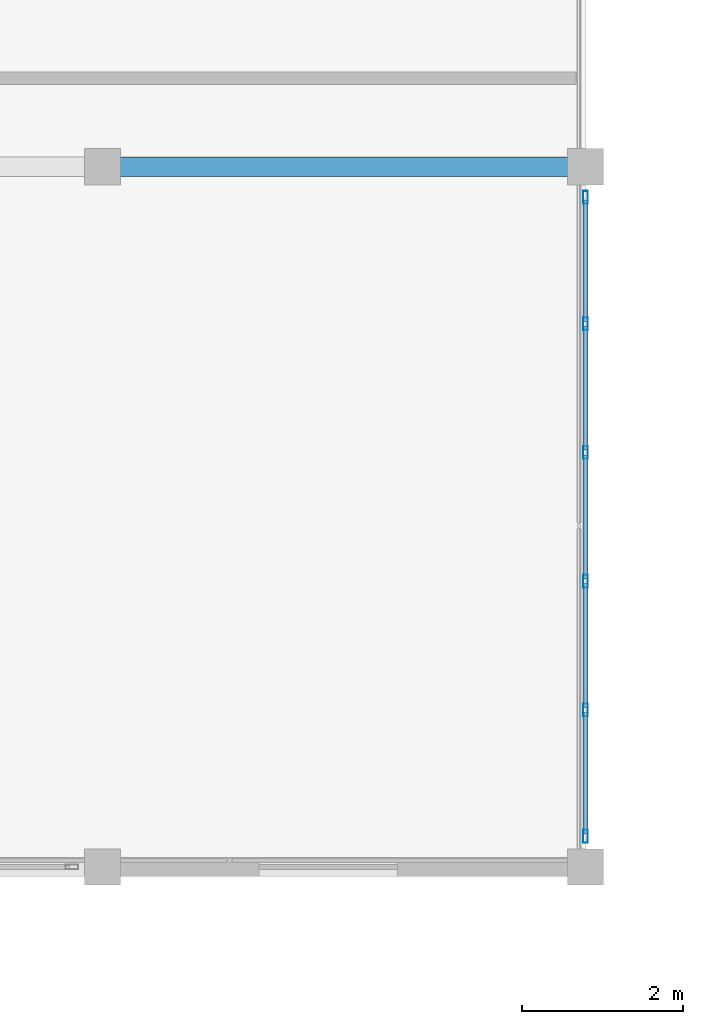
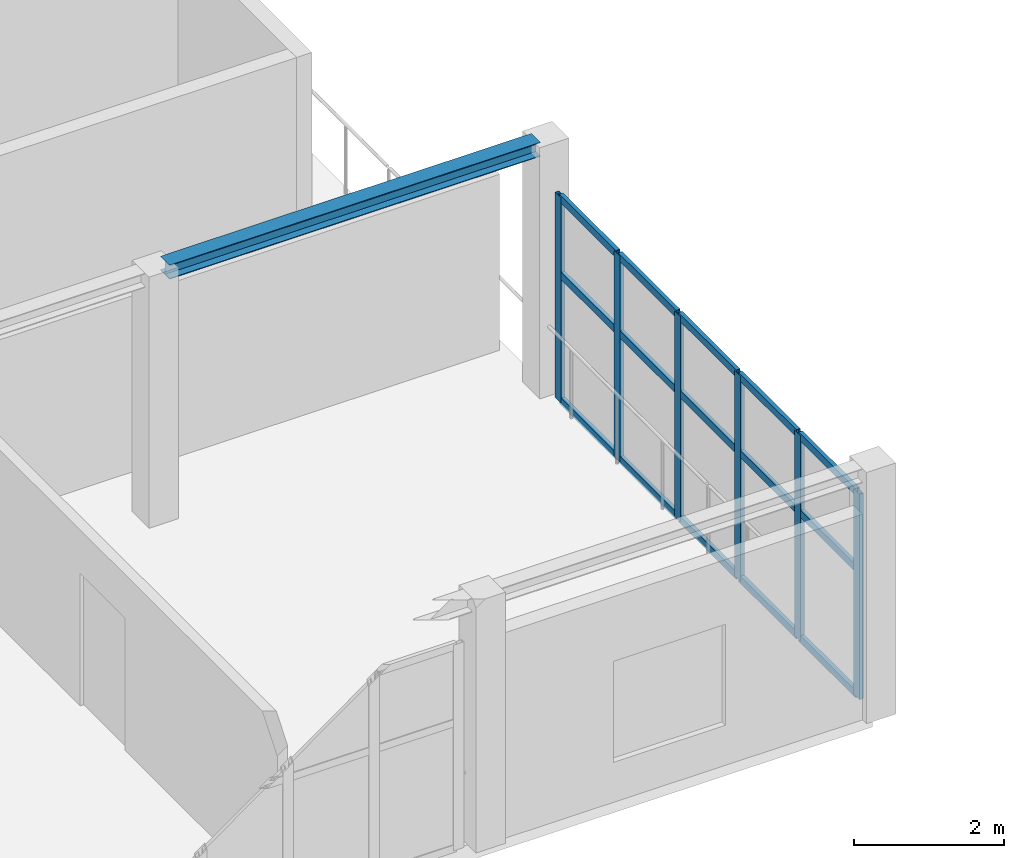
# One storey, part 49 of 128: 21 members, 1 beam, 1 element without a shape of its own.
"""IFC4 building model written with IfcOpenShell, lengths in metres."""

from ifc_helpers import new_model, si_unit, direction, frame, origin, origin_2d, place, context, subcontext, project, spatial, hollow_rectangle, i_section, extrude, material, material_profile, profile_set, type_object, element, aggregate, save


model = new_model("IFC4")

# Units and contexts
model_context = context("Model", 3, precision=1e-05, world=origin(), true_north=direction((0.0, 1.0)))
body_context = subcontext(model_context, "Body", "Model", "MODEL_VIEW")
ifc_project = project(units=[si_unit("LENGTHUNIT", "METRE"), si_unit("AREAUNIT", "SQUARE_METRE"), si_unit("VOLUMEUNIT", "CUBIC_METRE"), si_unit("PLANEANGLEUNIT", "RADIAN"), si_unit("MASSUNIT", "GRAM", prefix="KILO")], contexts=[model_context])

# Site, building, storey
site_placement = place(None, origin())
site = spatial("IfcSite", under=ifc_project, at=site_placement, CompositionType="ELEMENT")
building_placement = place(site_placement, origin())
building = spatial("IfcBuilding", under=site, at=building_placement, Name="Tanwirah Colonnade Gardens", CompositionType="ELEMENT")
storey_placement = place(building_placement, frame((0.0, 0.0, 4.760009765625)))
storey = spatial("IfcBuildingStorey", under=building, at=storey_placement, Name="L01", CompositionType="ELEMENT", Elevation=4.760009765625)

# Curtain wall, members
ifc_material_1 = material(Name="Bronze-anodised aluminium and solar-control low-E glass", Category="aluminium")
curtain_wall_type = type_object("IfcCurtainWallType", Name="CW-NUR", PredefinedType="NOTDEFINED", material=ifc_material_1)
curtain_wall_placement = place(storey_placement, origin())
curtain_wall = element("IfcCurtainWall", 1, at=curtain_wall_placement, inside=storey, type_object=curtain_wall_type, Name="Curtain Wall CW-NUR-L01-E-1", PredefinedType="NOTDEFINED")
ifc_material_2 = material(Name="Bronze-anodised aluminium", Category="aluminium")
ifc_material_profile_1 = material_profile(ifc_material_2, hollow_rectangle(XDim=0.06005859375, YDim=0.159912109375, WallThickness=0.00390625, at=origin_2d()), Name="CW-MUL 60x160x4")
ifc_profile_set_1 = profile_set([ifc_material_profile_1], Name="Bronze-anodised aluminium")
member_type_1 = type_object("IfcMemberType", Name="CWM-60x160", PredefinedType="MULLION", material=ifc_profile_set_1)
member_1_placement = place(storey_placement, frame((108.0, 92.3798828125, 0.0), z_axis=(0.0, 0.0, 1.0), x_axis=(-1.0, 0.0, 0.0)))
member_1 = element("IfcMember", 2, at=member_1_placement, type_object=member_type_1, Name="CW-NUR mullion 1", PredefinedType="MULLION", context=body_context, shape_type="SweptSolid", body=[
    extrude(hollow_rectangle(XDim=0.06005859375, YDim=0.159912109375, WallThickness=0.00390625, at=origin_2d()), origin(), (0.0, 0.0, 1.0), 3.340087890625),
])
member_2_placement = place(storey_placement, frame((108.0, 93.949951171875, 0.0), z_axis=(0.0, 0.0, 1.0), x_axis=(-1.0, 0.0, 0.0)))
member_2 = element("IfcMember", 3, at=member_2_placement, type_object=member_type_1, Name="CW-NUR mullion 2", PredefinedType="MULLION", context=body_context, shape_type="SweptSolid", body=[
    extrude(hollow_rectangle(XDim=0.06005859375, YDim=0.159912109375, WallThickness=0.00390625, at=origin_2d()), origin(), (0.0, 0.0, 1.0), 3.340087890625),
])
member_3_placement = place(storey_placement, frame((108.0, 95.550048828125, 0.0), z_axis=(0.0, 0.0, 1.0), x_axis=(-1.0, 0.0, 0.0)))
member_3 = element("IfcMember", 4, at=member_3_placement, type_object=member_type_1, Name="CW-NUR mullion 3", PredefinedType="MULLION", context=body_context, shape_type="SweptSolid", body=[
    extrude(hollow_rectangle(XDim=0.06005859375, YDim=0.159912109375, WallThickness=0.00390625, at=origin_2d()), origin(), (0.0, 0.0, 1.0), 3.340087890625),
])
member_4_placement = place(storey_placement, frame((108.0, 97.14990234375, 0.0), z_axis=(0.0, 0.0, 1.0), x_axis=(-1.0, 0.0, 0.0)))
member_4 = element("IfcMember", 5, at=member_4_placement, type_object=member_type_1, Name="CW-NUR mullion 4", PredefinedType="MULLION", context=body_context, shape_type="SweptSolid", body=[
    extrude(hollow_rectangle(XDim=0.06005859375, YDim=0.159912109375, WallThickness=0.00390625, at=origin_2d()), origin(), (0.0, 0.0, 1.0), 3.340087890625),
])
member_5_placement = place(storey_placement, frame((108.0, 98.75, 0.0), z_axis=(0.0, 0.0, 1.0), x_axis=(-1.0, 0.0, 0.0)))
member_5 = element("IfcMember", 6, at=member_5_placement, type_object=member_type_1, Name="CW-NUR mullion 5", PredefinedType="MULLION", context=body_context, shape_type="SweptSolid", body=[
    extrude(hollow_rectangle(XDim=0.06005859375, YDim=0.159912109375, WallThickness=0.00390625, at=origin_2d()), origin(), (0.0, 0.0, 1.0), 3.340087890625),
])
member_6_placement = place(storey_placement, frame((108.0, 100.320068359375, 0.0), z_axis=(0.0, 0.0, 1.0), x_axis=(-1.0, 0.0, 0.0)))
member_6 = element("IfcMember", 7, at=member_6_placement, type_object=member_type_1, Name="CW-NUR mullion 6", PredefinedType="MULLION", context=body_context, shape_type="SweptSolid", body=[
    extrude(hollow_rectangle(XDim=0.06005859375, YDim=0.159912109375, WallThickness=0.00390625, at=origin_2d()), origin(), (0.0, 0.0, 1.0), 3.340087890625),
])
ifc_material_profile_2 = material_profile(ifc_material_2, hollow_rectangle(XDim=0.06005859375, YDim=0.1201171875, WallThickness=0.00390625, at=origin_2d()), Name="CW-TRN 60x120x4")
ifc_profile_set_2 = profile_set([ifc_material_profile_2], Name="Bronze-anodised aluminium")
member_type_2 = type_object("IfcMemberType", Name="CWT-60x120", PredefinedType="USERDEFINED", material=ifc_profile_set_2)
member_7_placement = place(storey_placement, frame((108.0, 92.409912109375, 0.030029296875), z_axis=(0.0, 1.0, 0.0), x_axis=(-1.0, 0.0, 0.0)))
member_7 = element("IfcMember", 8, at=member_7_placement, type_object=member_type_2, Name="CW-NUR transom 1.1", ObjectType="TRANSOM", PredefinedType="USERDEFINED", context=body_context, shape_type="SweptSolid", body=[
    extrude(hollow_rectangle(XDim=0.06005859375, YDim=0.1201171875, WallThickness=0.00390625, at=origin_2d()), origin(), (0.0, 0.0, 1.0), 1.510009765625),
])
member_8_placement = place(storey_placement, frame((108.0, 92.409912109375, 2.07080078125), z_axis=(0.0, 1.0, 0.0), x_axis=(-1.0, 0.0, 0.0)))
member_8 = element("IfcMember", 9, at=member_8_placement, type_object=member_type_2, Name="CW-NUR transom 1.2", ObjectType="TRANSOM", PredefinedType="USERDEFINED", context=body_context, shape_type="SweptSolid", body=[
    extrude(hollow_rectangle(XDim=0.06005859375, YDim=0.1201171875, WallThickness=0.00390625, at=origin_2d()), origin(), (0.0, 0.0, 1.0), 1.510009765625),
])
member_9_placement = place(storey_placement, frame((108.0, 92.409912109375, 3.31005859375), z_axis=(0.0, 1.0, 0.0), x_axis=(-1.0, 0.0, 0.0)))
member_9 = element("IfcMember", 10, at=member_9_placement, type_object=member_type_2, Name="CW-NUR transom 1.3", ObjectType="TRANSOM", PredefinedType="USERDEFINED", context=body_context, shape_type="SweptSolid", body=[
    extrude(hollow_rectangle(XDim=0.06005859375, YDim=0.1201171875, WallThickness=0.00390625, at=origin_2d()), origin(), (0.0, 0.0, 1.0), 1.510009765625),
])
member_10_placement = place(storey_placement, frame((108.0, 93.97998046875, 0.030029296875), z_axis=(0.0, 1.0, 0.0), x_axis=(-1.0, 0.0, 0.0)))
member_10 = element("IfcMember", 11, at=member_10_placement, type_object=member_type_2, Name="CW-NUR transom 2.1", ObjectType="TRANSOM", PredefinedType="USERDEFINED", context=body_context, shape_type="SweptSolid", body=[
    extrude(hollow_rectangle(XDim=0.06005859375, YDim=0.1201171875, WallThickness=0.00390625, at=origin_2d()), origin(), (0.0, 0.0, 1.0), 1.5400390625),
])
member_11_placement = place(storey_placement, frame((108.0, 93.97998046875, 2.07080078125), z_axis=(0.0, 1.0, 0.0), x_axis=(-1.0, 0.0, 0.0)))
member_11 = element("IfcMember", 12, at=member_11_placement, type_object=member_type_2, Name="CW-NUR transom 2.2", ObjectType="TRANSOM", PredefinedType="USERDEFINED", context=body_context, shape_type="SweptSolid", body=[
    extrude(hollow_rectangle(XDim=0.06005859375, YDim=0.1201171875, WallThickness=0.00390625, at=origin_2d()), origin(), (0.0, 0.0, 1.0), 1.5400390625),
])
member_12_placement = place(storey_placement, frame((108.0, 93.97998046875, 3.31005859375), z_axis=(0.0, 1.0, 0.0), x_axis=(-1.0, 0.0, 0.0)))
member_12 = element("IfcMember", 13, at=member_12_placement, type_object=member_type_2, Name="CW-NUR transom 2.3", ObjectType="TRANSOM", PredefinedType="USERDEFINED", context=body_context, shape_type="SweptSolid", body=[
    extrude(hollow_rectangle(XDim=0.06005859375, YDim=0.1201171875, WallThickness=0.00390625, at=origin_2d()), origin(), (0.0, 0.0, 1.0), 1.5400390625),
])
member_13_placement = place(storey_placement, frame((108.0, 95.580078125, 0.030029296875), z_axis=(0.0, 1.0, 0.0), x_axis=(-1.0, 0.0, 0.0)))
member_13 = element("IfcMember", 14, at=member_13_placement, type_object=member_type_2, Name="CW-NUR transom 3.1", ObjectType="TRANSOM", PredefinedType="USERDEFINED", context=body_context, shape_type="SweptSolid", body=[
    extrude(hollow_rectangle(XDim=0.06005859375, YDim=0.1201171875, WallThickness=0.00390625, at=origin_2d()), origin(), (0.0, 0.0, 1.0), 1.5400390625),
])
member_14_placement = place(storey_placement, frame((108.0, 95.580078125, 2.07080078125), z_axis=(0.0, 1.0, 0.0), x_axis=(-1.0, 0.0, 0.0)))
member_14 = element("IfcMember", 15, at=member_14_placement, type_object=member_type_2, Name="CW-NUR transom 3.2", ObjectType="TRANSOM", PredefinedType="USERDEFINED", context=body_context, shape_type="SweptSolid", body=[
    extrude(hollow_rectangle(XDim=0.06005859375, YDim=0.1201171875, WallThickness=0.00390625, at=origin_2d()), origin(), (0.0, 0.0, 1.0), 1.5400390625),
])
member_15_placement = place(storey_placement, frame((108.0, 95.580078125, 3.31005859375), z_axis=(0.0, 1.0, 0.0), x_axis=(-1.0, 0.0, 0.0)))
member_15 = element("IfcMember", 16, at=member_15_placement, type_object=member_type_2, Name="CW-NUR transom 3.3", ObjectType="TRANSOM", PredefinedType="USERDEFINED", context=body_context, shape_type="SweptSolid", body=[
    extrude(hollow_rectangle(XDim=0.06005859375, YDim=0.1201171875, WallThickness=0.00390625, at=origin_2d()), origin(), (0.0, 0.0, 1.0), 1.5400390625),
])
member_16_placement = place(storey_placement, frame((108.0, 97.179931640625, 0.030029296875), z_axis=(0.0, 1.0, 0.0), x_axis=(-1.0, 0.0, 0.0)))
member_16 = element("IfcMember", 17, at=member_16_placement, type_object=member_type_2, Name="CW-NUR transom 4.1", ObjectType="TRANSOM", PredefinedType="USERDEFINED", context=body_context, shape_type="SweptSolid", body=[
    extrude(hollow_rectangle(XDim=0.06005859375, YDim=0.1201171875, WallThickness=0.00390625, at=origin_2d()), origin(), (0.0, 0.0, 1.0), 1.5400390625),
])
member_17_placement = place(storey_placement, frame((108.0, 97.179931640625, 2.07080078125), z_axis=(0.0, 1.0, 0.0), x_axis=(-1.0, 0.0, 0.0)))
member_17 = element("IfcMember", 18, at=member_17_placement, type_object=member_type_2, Name="CW-NUR transom 4.2", ObjectType="TRANSOM", PredefinedType="USERDEFINED", context=body_context, shape_type="SweptSolid", body=[
    extrude(hollow_rectangle(XDim=0.06005859375, YDim=0.1201171875, WallThickness=0.00390625, at=origin_2d()), origin(), (0.0, 0.0, 1.0), 1.5400390625),
])
member_18_placement = place(storey_placement, frame((108.0, 97.179931640625, 3.31005859375), z_axis=(0.0, 1.0, 0.0), x_axis=(-1.0, 0.0, 0.0)))
member_18 = element("IfcMember", 19, at=member_18_placement, type_object=member_type_2, Name="CW-NUR transom 4.3", ObjectType="TRANSOM", PredefinedType="USERDEFINED", context=body_context, shape_type="SweptSolid", body=[
    extrude(hollow_rectangle(XDim=0.06005859375, YDim=0.1201171875, WallThickness=0.00390625, at=origin_2d()), origin(), (0.0, 0.0, 1.0), 1.5400390625),
])
member_19_placement = place(storey_placement, frame((108.0, 98.780029296875, 0.030029296875), z_axis=(0.0, 1.0, 0.0), x_axis=(-1.0, 0.0, 0.0)))
member_19 = element("IfcMember", 20, at=member_19_placement, type_object=member_type_2, Name="CW-NUR transom 5.1", ObjectType="TRANSOM", PredefinedType="USERDEFINED", context=body_context, shape_type="SweptSolid", body=[
    extrude(hollow_rectangle(XDim=0.06005859375, YDim=0.1201171875, WallThickness=0.00390625, at=origin_2d()), origin(), (0.0, 0.0, 1.0), 1.510009765625),
])
member_20_placement = place(storey_placement, frame((108.0, 98.780029296875, 2.07080078125), z_axis=(0.0, 1.0, 0.0), x_axis=(-1.0, 0.0, 0.0)))
member_20 = element("IfcMember", 21, at=member_20_placement, type_object=member_type_2, Name="CW-NUR transom 5.2", ObjectType="TRANSOM", PredefinedType="USERDEFINED", context=body_context, shape_type="SweptSolid", body=[
    extrude(hollow_rectangle(XDim=0.06005859375, YDim=0.1201171875, WallThickness=0.00390625, at=origin_2d()), origin(), (0.0, 0.0, 1.0), 1.510009765625),
])
member_21_placement = place(storey_placement, frame((108.0, 98.780029296875, 3.31005859375), z_axis=(0.0, 1.0, 0.0), x_axis=(-1.0, 0.0, 0.0)))
member_21 = element("IfcMember", 22, at=member_21_placement, type_object=member_type_2, Name="CW-NUR transom 5.3", ObjectType="TRANSOM", PredefinedType="USERDEFINED", context=body_context, shape_type="SweptSolid", body=[
    extrude(hollow_rectangle(XDim=0.06005859375, YDim=0.1201171875, WallThickness=0.00390625, at=origin_2d()), origin(), (0.0, 0.0, 1.0), 1.510009765625),
])
aggregate(curtain_wall, [member_1, member_2, member_3, member_4, member_5, member_6, member_7, member_8, member_9, member_10, member_11, member_12, member_13, member_14, member_15, member_16, member_17, member_18, member_19, member_20, member_21])

# Beam
ifc_material_3 = material(Name="Steel S355", Category="steel")
ifc_material_profile_3 = material_profile(ifc_material_3, i_section(OverallWidth=0.239990234375, OverallDepth=0.22998046875, WebThickness=0.007568359375, FlangeThickness=0.011962890625, at=origin_2d()), Name="HEA 240")
ifc_profile_set_3 = profile_set([ifc_material_profile_3], Name="Steel S355")
beam_type = type_object("IfcBeamType", Name="SBM-HEA240", PredefinedType="BEAM", material=ifc_profile_set_3)
beam_placement = place(storey_placement, frame((102.14990234375, 100.699951171875, 3.965087890625), z_axis=(1.0, 0.0, 0.0), x_axis=(0.0, 1.0, 0.0)))
element("IfcBeam", 23, at=beam_placement, inside=storey, type_object=beam_type, Name="Nursery L01 Beam X-4.1", PredefinedType="BEAM", context=body_context, shape_type="SweptSolid", body=[
    extrude(i_section(OverallWidth=0.239990234375, OverallDepth=0.22998046875, WebThickness=0.007568359375, FlangeThickness=0.011962890625, at=origin_2d()), origin(), (0.0, 0.0, 1.0), 5.7001953125),
])

save(model, "model.ifc")
